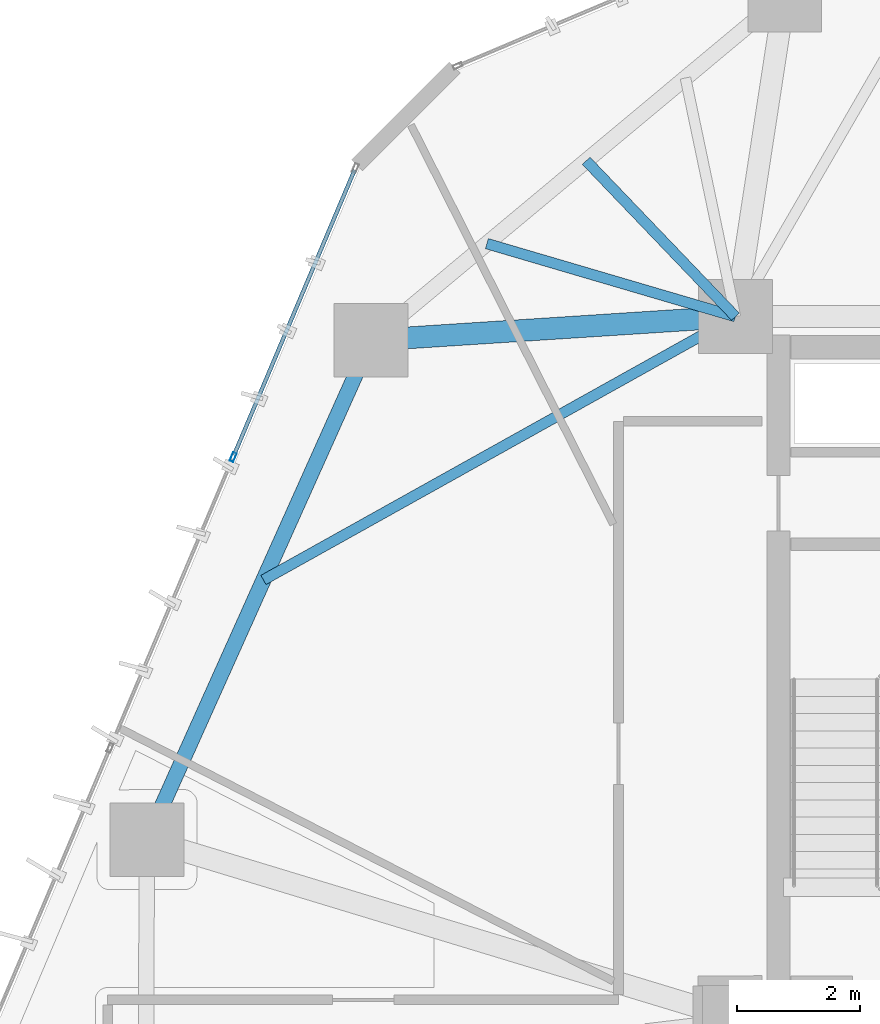
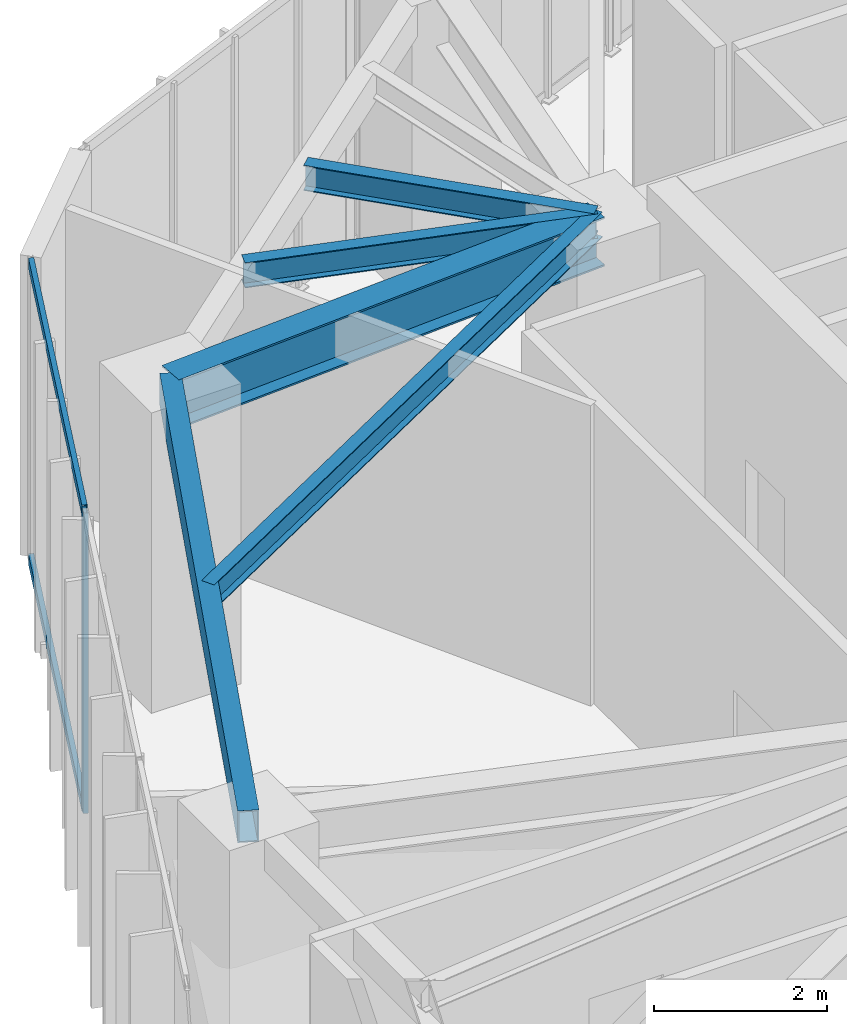
# One storey, part 13 of 28: 5 beams, 3 members, 1 element without a shape of its own.
"""IFC4 building model written with IfcOpenShell, lengths in metres."""

from ifc_helpers import new_model, si_unit, direction, frame, origin, origin_2d, place, context, subcontext, project, spatial, hollow_rectangle, i_section, extrude, source, transform, mapped, material, layer, layer_set, material_profile, profile_set, type_object, type_shapes, element, aggregate, save


model = new_model("IFC4")

# Units and contexts
model_context = context("Model", 3, precision=1e-05, world=origin(), true_north=direction((0.0, 1.0)))
body_context = subcontext(model_context, "Body", "Model", "MODEL_VIEW")
ifc_project = project(units=[si_unit("LENGTHUNIT", "METRE"), si_unit("AREAUNIT", "SQUARE_METRE"), si_unit("VOLUMEUNIT", "CUBIC_METRE"), si_unit("PLANEANGLEUNIT", "RADIAN"), si_unit("MASSUNIT", "GRAM", prefix="KILO")], contexts=[model_context])

# Site, building, storey
site_placement = place(None, origin())
site = spatial("IfcSite", under=ifc_project, at=site_placement, CompositionType="ELEMENT")
building_placement = place(site_placement, origin())
building = spatial("IfcBuilding", under=site, at=building_placement, Name="Talar Marvaseh", CompositionType="ELEMENT")
storey_placement = place(building_placement, frame((0.0, 0.0, 157.800048828125)))
storey = spatial("IfcBuildingStorey", under=building, at=storey_placement, Name="L41", CompositionType="ELEMENT", Elevation=157.800048828125)

# Beams
ifc_material_1 = material(Name="Steel S355", Category="steel")
ifc_material_profile_1 = material_profile(ifc_material_1, hollow_rectangle(XDim=0.25, YDim=0.449951171875, WallThickness=0.01611328125, at=origin_2d()), Name="RHS450x250x16")
ifc_profile_set_1 = profile_set([ifc_material_profile_1], Name="Steel S355")
beam_type_1 = type_object("IfcBeamType", Name="Zone 2 Perimeter Spandrel Beam RHS450x250x16", PredefinedType="SPANDREL", material=ifc_profile_set_1)
beam_1_placement = place(storey_placement, frame((9.137939453125, 28.402099609375, 4.02490234375), z_axis=(0.409461733275, 0.912327292688, 0.0), x_axis=(-0.912327292688, 0.409461733275, 0.0)))
element("IfcBeam", 1, at=beam_1_placement, inside=storey, type_object=beam_type_1, Name="L41 Zone 2 Perimeter Spandrel Beam RHS450x250x16", PredefinedType="SPANDREL", context=body_context, shape_type="SweptSolid", body=[
    extrude(hollow_rectangle(XDim=0.25, YDim=0.449951171875, WallThickness=0.01611328125, at=origin_2d()), origin(), (0.0, 0.0, 1.0), 8.894775390625),
])
ifc_material_profile_2 = material_profile(ifc_material_1, i_section(OverallWidth=0.35498046875, OverallDepth=0.695068359375, WebThickness=0.015380859375, FlangeThickness=0.02490234375, at=origin_2d()), Name="W690x217")
ifc_profile_set_2 = profile_set([ifc_material_profile_2], Name="Steel S355")
beam_type_2 = type_object("IfcBeamType", Name="Zone 2 Radial Floor Girder W690x217", PredefinedType="BEAM", material=ifc_profile_set_2)
beam_2_placement = place(storey_placement, frame((12.780029296875, 36.51708984375, 3.90234375), z_axis=(0.997915745008, 0.064530348407, 0.0), x_axis=(-0.064530348407, 0.997915745008, 0.0)))
element("IfcBeam", 2, at=beam_2_placement, inside=storey, type_object=beam_type_2, Name="L41 Zone 2 Radial Floor Girder W690x217", PredefinedType="BEAM", context=body_context, shape_type="SweptSolid", body=[
    extrude(i_section(OverallWidth=0.35498046875, OverallDepth=0.695068359375, WebThickness=0.015380859375, FlangeThickness=0.02490234375, at=origin_2d()), origin(), (0.0, 0.0, 1.0), 5.932373046875),
])
ifc_material_profile_3 = material_profile(ifc_material_1, i_section(OverallWidth=0.172119140625, OverallDepth=0.35791015625, WebThickness=0.0078125, FlangeThickness=0.01318359375, at=origin_2d()), Name="W360x57")
ifc_profile_set_3 = profile_set([ifc_material_profile_3], Name="Steel S355")
beam_type_3 = type_object("IfcBeamType", Name="Zone 2 Secondary Floor Joist W360x57", PredefinedType="JOIST", material=ifc_profile_set_3)
beam_3_placement = place(storey_placement, frame((11.03173828125, 32.621826171875, 4.071044921875), z_axis=(0.873287668061, 0.487204935128, 0.0), x_axis=(-0.487204935128, 0.873287668061, 0.0)))
element("IfcBeam", 3, at=beam_3_placement, inside=storey, type_object=beam_type_3, Name="L41 Zone 2 Secondary Floor Joist W360x57", PredefinedType="JOIST", context=body_context, shape_type="SweptSolid", body=[
    extrude(i_section(OverallWidth=0.172119140625, OverallDepth=0.35791015625, WebThickness=0.0078125, FlangeThickness=0.01318359375, at=origin_2d()), origin(), (0.0, 0.0, 1.0), 8.78076171875),
])
beam_4_placement = place(storey_placement, frame((14.661865234375, 38.086669921875, 4.071044921875), z_axis=(0.959423672171, -0.281968468587, 0.0), x_axis=(0.281968468587, 0.959423672171, 0.0)))
element("IfcBeam", 4, at=beam_4_placement, inside=storey, type_object=beam_type_3, Name="L41 Zone 2 Secondary Floor Joist W360x57", PredefinedType="JOIST", context=body_context, shape_type="SweptSolid", body=[
    extrude(i_section(OverallWidth=0.172119140625, OverallDepth=0.35791015625, WebThickness=0.0078125, FlangeThickness=0.01318359375, at=origin_2d()), origin(), (0.0, 0.0, 1.0), 4.208984375),
])
beam_5_placement = place(storey_placement, frame((16.27490234375, 39.43212890625, 4.071044921875), z_axis=(0.691657292908, -0.722225857449, 0.0), x_axis=(0.722225857449, 0.691657292908, 0.0)))
element("IfcBeam", 5, at=beam_5_placement, inside=storey, type_object=beam_type_3, Name="L41 Zone 2 Secondary Floor Joist W360x57", PredefinedType="JOIST", context=body_context, shape_type="SweptSolid", body=[
    extrude(i_section(OverallWidth=0.172119140625, OverallDepth=0.35791015625, WebThickness=0.0078125, FlangeThickness=0.01318359375, at=origin_2d()), origin(), (0.0, 0.0, 1.0), 3.506103515625),
])

# Curtain wall, members
ifc_material_2 = material(Name="Architectural Aluminium", Category="aluminium")
ifc_layer = layer(ifc_material_2, 0.239990234375)
ifc_layer_set = layer_set([ifc_layer], Name="Architectural Aluminium")
curtain_wall_type = type_object("IfcCurtainWallType", Name="Observation Sky Gallery Structural Glass Wall", PredefinedType="NOTDEFINED", material=ifc_layer_set)
curtain_wall_placement = place(storey_placement, origin())
curtain_wall = element("IfcCurtainWall", 6, at=curtain_wall_placement, inside=storey, type_object=curtain_wall_type, Name="L41 Observation Sky Gallery Structural Glass Wall", PredefinedType="NOTDEFINED")
ifc_material_profile_4 = material_profile(ifc_material_2, hollow_rectangle(XDim=0.06494140625, YDim=0.14990234375, WallThickness=0.00390625, at=origin_2d()), Name="RHS150x65x4")
ifc_profile_set_4 = profile_set([ifc_material_profile_4], Name="Architectural Aluminium")
member_type_1 = type_object("IfcMemberType", Name="Unitised Curtain Wall Slim Mullion RHS150x65x4", PredefinedType="MULLION", material=ifc_profile_set_4)
shared_shape_1 = source(origin(), body_context, "Body", "SweptSolid", [
    extrude(hollow_rectangle(XDim=0.06494140625, YDim=0.14990234375, WallThickness=0.00390625, at=origin_2d()), origin(), (0.0, 0.0, 1.0), 4.25),
])
type_shapes(member_type_1, [shared_shape_1])
member_1_placement = place(storey_placement, frame((10.539306640625, 34.617919921875, 0.0), z_axis=(0.0, 0.0, 1.0), x_axis=(-0.920967430429, 0.389639566894, 0.0)))
member_1 = element("IfcMember", 7, at=member_1_placement, type_object=member_type_1, Name="CW-OBS mullion 3", PredefinedType="MULLION", context=body_context, shape_type="MappedRepresentation", body=[
    mapped(shared_shape_1, transform((0.0, 0.0, 0.0), x_axis=(1.0, 0.0, 0.0), y_axis=(0.0, 1.0, 0.0), z_axis=(0.0, 0.0, 1.0), scale=1.0)),
])
ifc_material_profile_5 = material_profile(ifc_material_2, hollow_rectangle(XDim=0.06494140625, YDim=0.14990234375, WallThickness=0.00390625, at=origin_2d()), Name="RHS150x65x4")
ifc_profile_set_5 = profile_set([ifc_material_profile_5], Name="Architectural Aluminium")
member_type_2 = type_object("IfcMemberType", Name="Unitised Curtain Wall Slim Transom RHS150x65x4", PredefinedType="USERDEFINED", material=ifc_profile_set_5)
shared_shape_2 = source(origin(), body_context, "Body", "SweptSolid", [
    extrude(hollow_rectangle(XDim=0.06494140625, YDim=0.14990234375, WallThickness=0.00390625, at=origin_2d()), origin(), (0.0, 0.0, 1.0), 5.032470703125),
])
type_shapes(member_type_2, [shared_shape_2])
member_2_placement = place(storey_placement, frame((10.552001953125, 34.64794921875, 0.032470703125), z_axis=(0.389611503456, 0.920979302902, 0.0), x_axis=(-0.920979302902, 0.389611503456, 0.0)))
member_2 = element("IfcMember", 8, at=member_2_placement, type_object=member_type_2, Name="CW-OBS transom 3.1", ObjectType="TRANSOM", PredefinedType="USERDEFINED", context=body_context, shape_type="MappedRepresentation", body=[
    mapped(shared_shape_2, transform((0.0, 0.0, 0.0), x_axis=(1.0, 0.0, 0.0), y_axis=(0.0, 1.0, 0.0), z_axis=(0.0, 0.0, 1.0), scale=1.0)),
])
member_3_placement = place(storey_placement, frame((10.552001953125, 34.64794921875, 4.217529296875), z_axis=(0.389611503456, 0.920979302902, 0.0), x_axis=(-0.920979302902, 0.389611503456, 0.0)))
member_3 = element("IfcMember", 9, at=member_3_placement, type_object=member_type_2, Name="CW-OBS transom 3.2", ObjectType="TRANSOM", PredefinedType="USERDEFINED", context=body_context, shape_type="MappedRepresentation", body=[
    mapped(shared_shape_2, transform((0.0, 0.0, 0.0), x_axis=(1.0, 0.0, 0.0), y_axis=(0.0, 1.0, 0.0), z_axis=(0.0, 0.0, 1.0), scale=1.0)),
])
aggregate(curtain_wall, [member_1, member_2, member_3])

save(model, "model.ifc")
